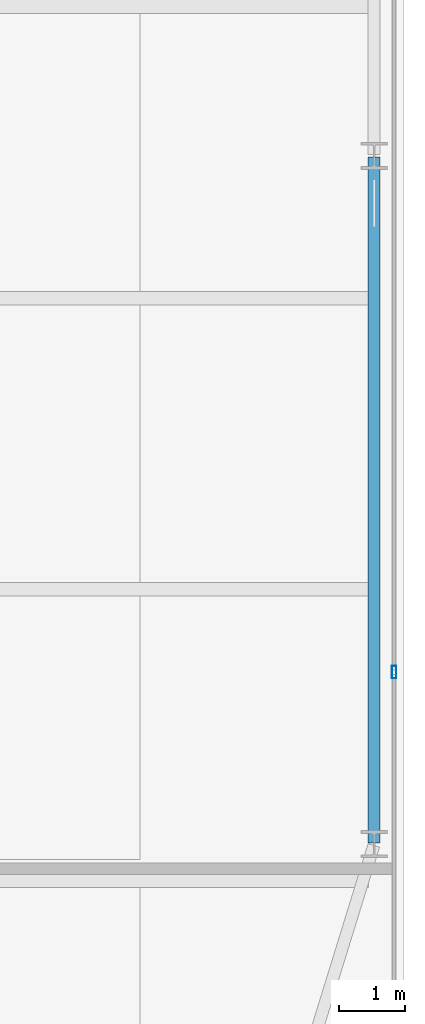
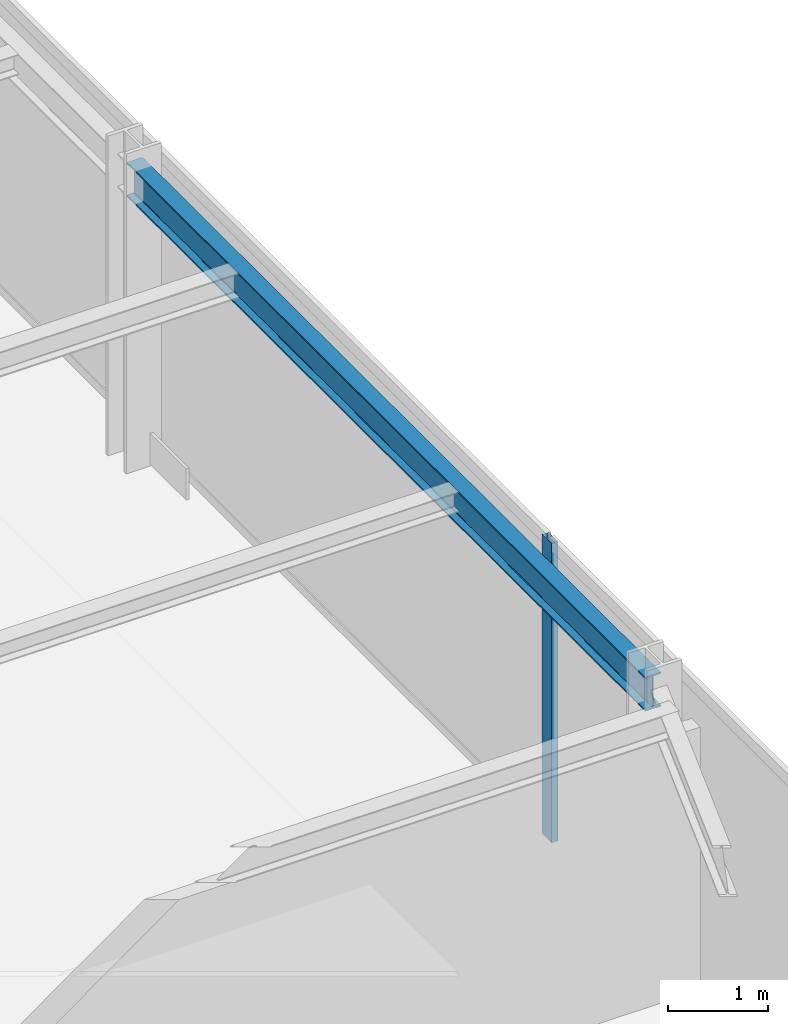
# One storey, part 16 of 31: 1 beam, 1 member, 1 element without a shape of its own.
"""IFC4 building model written with IfcOpenShell, lengths in metres."""

from ifc_helpers import new_model, si_unit, direction, frame, origin, origin_2d, place, context, subcontext, project, spatial, hollow_rectangle, i_section, extrude, source, transform, mapped, material, layer, layer_set, material_profile, profile_set, type_object, type_shapes, element, aggregate, save


model = new_model("IFC4")

# Units and contexts
model_context = context("Model", 3, precision=1e-05, world=origin(), true_north=direction((0.0, 1.0)))
body_context = subcontext(model_context, "Body", "Model", "MODEL_VIEW")
ifc_project = project(units=[si_unit("LENGTHUNIT", "METRE"), si_unit("AREAUNIT", "SQUARE_METRE"), si_unit("VOLUMEUNIT", "CUBIC_METRE"), si_unit("PLANEANGLEUNIT", "RADIAN"), si_unit("MASSUNIT", "GRAM", prefix="KILO")], contexts=[model_context])

# Site, building, storey
site_placement = place(None, origin())
site = spatial("IfcSite", under=ifc_project, at=site_placement, CompositionType="ELEMENT")
building_placement = place(site_placement, origin())
building = spatial("IfcBuilding", under=site, at=building_placement, Name="Varnel Quay Broadcast Tower", CompositionType="ELEMENT")
storey_placement = place(building_placement, frame((0.0, 0.0, 51.0)))
storey = spatial("IfcBuildingStorey", under=building, at=storey_placement, Name="L11", CompositionType="ELEMENT", Elevation=51.0)

# Beam
ifc_material_1 = material(Name="Structural Steel CSA G40.21 350W", Category="steel")
ifc_material_profile_1 = material_profile(ifc_material_1, i_section(OverallWidth=0.180908203125, OverallDepth=0.4169921875, WebThickness=0.010986328125, FlangeThickness=0.018310546875, FilletRadius=0.011962890625, at=origin_2d()), Name="W410X85")
ifc_profile_set_1 = profile_set([ifc_material_profile_1], Name="Structural Steel CSA G40.21 350W")
beam_type = type_object("IfcBeamType", Name="Beam_W410X85", PredefinedType="SPANDREL", material=ifc_profile_set_1)
shared_shape_1 = source(origin(), body_context, "Body", "SweptSolid", [
    extrude(i_section(OverallWidth=0.180908203125, OverallDepth=0.4169921875, WebThickness=0.010986328125, FlangeThickness=0.018310546875, FilletRadius=0.011962890625, at=origin_2d()), origin(), (0.0, 0.0, 1.0), 10.35986328125),
])
type_shapes(beam_type, [shared_shape_1])
beam_placement = place(storey_placement, frame((65.550048828125, 15.02001953125, 3.44140625), z_axis=(0.0, 1.0, 0.0), x_axis=(-1.0, 0.0, 0.0)))
element("IfcBeam", 1, at=beam_placement, inside=storey, type_object=beam_type, Name="L11 East Spandrel TC-E1-TC-E2", PredefinedType="SPANDREL", context=body_context, shape_type="MappedRepresentation", body=[
    mapped(shared_shape_1, transform((0.0, 0.0, 0.0), x_axis=(1.0, 0.0, 0.0), y_axis=(0.0, 1.0, 0.0), z_axis=(0.0, 0.0, 1.0), scale=1.0)),
])

# Curtain wall, member
ifc_material_2 = material(Name="Anodised Bronze Aluminium 6063-T6", Category="aluminium")
ifc_layer = layer(ifc_material_2, 0.18994140625, Name="Anodised Bronze Aluminium 6063-T6")
ifc_layer_set = layer_set([ifc_layer], Name="Anodised Bronze Aluminium 6063-T6")
curtain_wall_type = type_object("IfcCurtainWallType", Name="CW_LowerTower", PredefinedType="NOTDEFINED", material=ifc_layer_set)
curtain_wall_placement = place(storey_placement, origin())
curtain_wall = element("IfcCurtainWall", 2, at=curtain_wall_placement, inside=storey, type_object=curtain_wall_type, Name="L11 East Unitised Curtain Wall", PredefinedType="NOTDEFINED")
ifc_material_profile_2 = material_profile(ifc_material_2, hollow_rectangle(XDim=0.070068359375, YDim=0.18994140625, WallThickness=0.00390625, at=origin_2d()), Name="ALU70X190X4")
ifc_profile_set_2 = profile_set([ifc_material_profile_2], Name="Anodised Bronze Aluminium 6063-T6")
member_type = type_object("IfcMemberType", Name="Mull_CWS-02", PredefinedType="MULLION", material=ifc_profile_set_2)
shared_shape_2 = source(origin(), body_context, "Body", "SweptSolid", [
    extrude(hollow_rectangle(XDim=0.070068359375, YDim=0.18994140625, WallThickness=0.00390625, at=origin_2d()), origin(), (0.0, 0.0, 1.0), 3.64990234375),
])
type_shapes(member_type, [shared_shape_2])
member_placement = place(storey_placement, frame((65.85009765625, 17.60009765625, 0.0), z_axis=(0.0, 0.0, 1.0), x_axis=(-1.0, 0.0, 0.0)))
member = element("IfcMember", 3, at=member_placement, type_object=member_type, Name="CWS-02 mullion 2", PredefinedType="MULLION", context=body_context, shape_type="MappedRepresentation", body=[
    mapped(shared_shape_2, transform((0.0, 0.0, 0.0), x_axis=(1.0, 0.0, 0.0), y_axis=(0.0, 1.0, 0.0), z_axis=(0.0, 0.0, 1.0), scale=1.0)),
])
aggregate(curtain_wall, [member])

save(model, "model.ifc")
